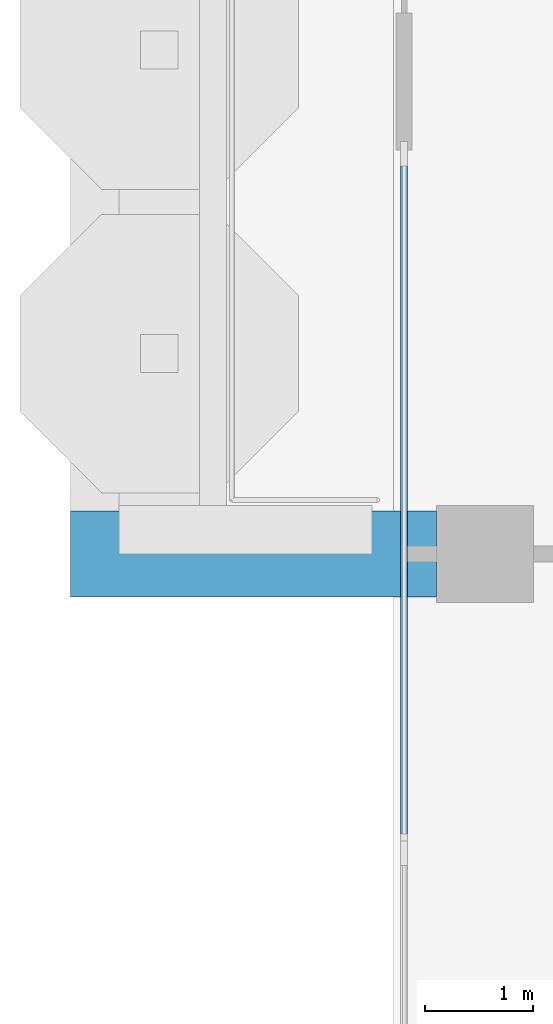
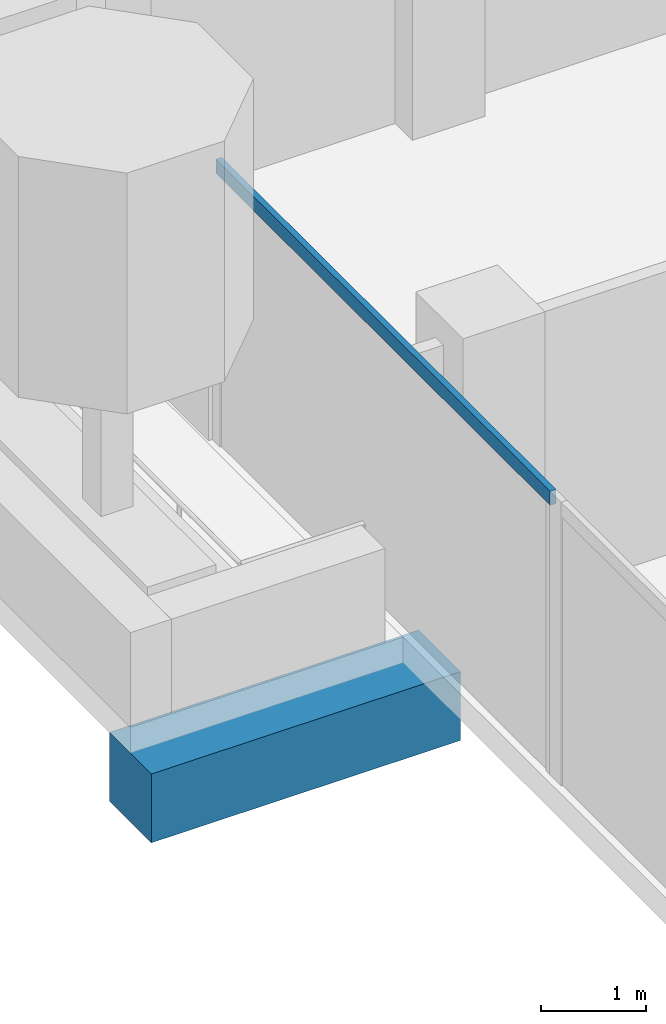
# One storey, part 3 of 18: 1 beam, 1 member, 1 element without a shape of its own.
"""IFC4 building model written with IfcOpenShell, lengths in metres."""

from ifc_helpers import new_model, si_unit, direction, frame, origin, origin_2d, place, context, subcontext, project, spatial, rectangle, extrude, material, material_profile, profile_set, type_object, element, aggregate, save


model = new_model("IFC4")

# Units and contexts
model_context = context("Model", 3, precision=1e-05, world=origin(), true_north=direction((0.0, 1.0)))
body_context = subcontext(model_context, "Body", "Model", "MODEL_VIEW")
ifc_project = project(units=[si_unit("LENGTHUNIT", "METRE"), si_unit("AREAUNIT", "SQUARE_METRE"), si_unit("VOLUMEUNIT", "CUBIC_METRE"), si_unit("PLANEANGLEUNIT", "RADIAN"), si_unit("MASSUNIT", "GRAM", prefix="KILO")], contexts=[model_context])

# Site, building, storey
site_placement = place(None, origin())
site = spatial("IfcSite", under=ifc_project, at=site_placement, CompositionType="ELEMENT")
building_placement = place(site_placement, origin())
building = spatial("IfcBuilding", under=site, at=building_placement, Name="Pilkhan Gate Tower", CompositionType="ELEMENT")
storey_placement = place(building_placement, frame((0.0, 0.0, 235.5)))
storey = spatial("IfcBuildingStorey", under=building, at=storey_placement, Name="L61", CompositionType="ELEMENT", Elevation=235.5)

# Beam
ifc_material_1 = material(Name="Concrete C50/60", Category="concrete")
ifc_material_profile_1 = material_profile(ifc_material_1, rectangle(XDim=0.800048828125, YDim=0.800048828125, at=origin_2d()), Name="RC 800x800")
ifc_profile_set_1 = profile_set([ifc_material_profile_1], Name="Concrete C50/60")
beam_type = type_object("IfcBeamType", Name="Cantilever beam CB2 RC 800x800 C50/60", PredefinedType="BEAM", material=ifc_profile_set_1)
beam_placement = place(storey_placement, frame((48.300048828125, 67.5, -0.699951171875), z_axis=(-1.0, 0.0, 0.0), x_axis=(0.0, -1.0, 0.0)))
element("IfcBeam", 1, at=beam_placement, inside=storey, type_object=beam_type, Name="Balcony beam W.1 L61", PredefinedType="BEAM", context=body_context, shape_type="SweptSolid", body=[
    extrude(rectangle(XDim=0.800048828125, YDim=0.800048828125, at=origin_2d()), origin(), (0.0, 0.0, 1.0), 3.400146484375),
])

# Curtain wall, member
ifc_material_2 = material(Name="Pale anodised aluminium, clear low-iron double glazing", Category="aluminium")
curtain_wall_type = type_object("IfcCurtainWallType", Name="Office unitised curtain wall CW-O2", PredefinedType="USERDEFINED", material=ifc_material_2)
curtain_wall_placement = place(storey_placement, origin())
curtain_wall = element("IfcCurtainWall", 2, at=curtain_wall_placement, inside=storey, type_object=curtain_wall_type, Name="Office unitised curtain wall CW-O2 L61 W", ObjectType="UNITISED CURTAIN WALL", PredefinedType="USERDEFINED")
ifc_material_3 = material(Name="Pale anodised aluminium", Category="aluminium")
ifc_material_profile_2 = material_profile(ifc_material_3, rectangle(XDim=0.06494140625, YDim=0.1650390625, at=origin_2d()), Name="Transom 165x65")
ifc_profile_set_2 = profile_set([ifc_material_profile_2], Name="Pale anodised aluminium")
member_type = type_object("IfcMemberType", Name="Transom CW-O2 165x65", PredefinedType="USERDEFINED", material=ifc_profile_set_2)
member_placement = place(storey_placement, frame((48.0, 64.81494140625, 3.217529296875), z_axis=(0.0, 1.0, 0.0), x_axis=(-1.0, 0.0, 0.0)))
member = element("IfcMember", 3, at=member_placement, type_object=member_type, Name="CW-O2 transom 1", ObjectType="TRANSOM", PredefinedType="USERDEFINED", context=body_context, shape_type="SweptSolid", body=[
    extrude(rectangle(XDim=0.06494140625, YDim=0.1650390625, at=origin_2d()), origin(), (0.0, 0.0, 1.0), 6.3701171875),
])
aggregate(curtain_wall, [member])

save(model, "model.ifc")
